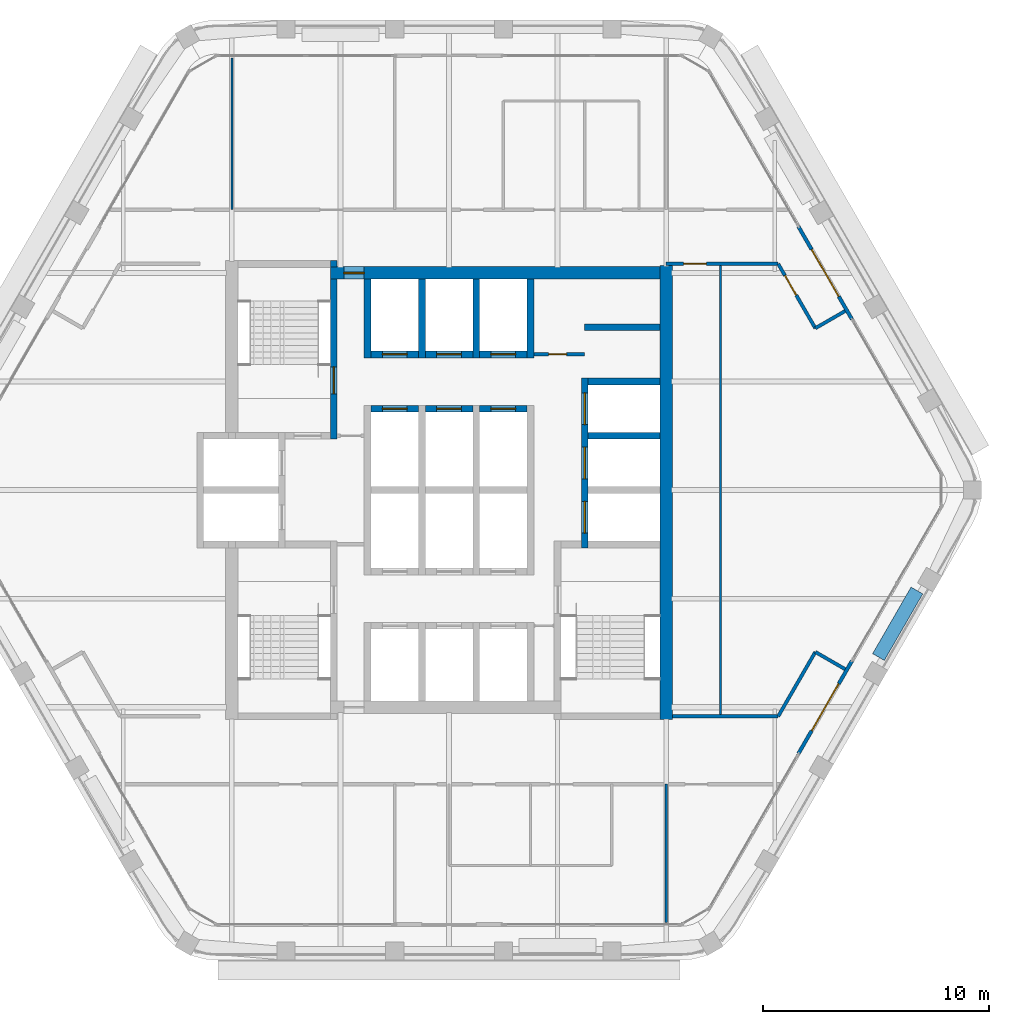
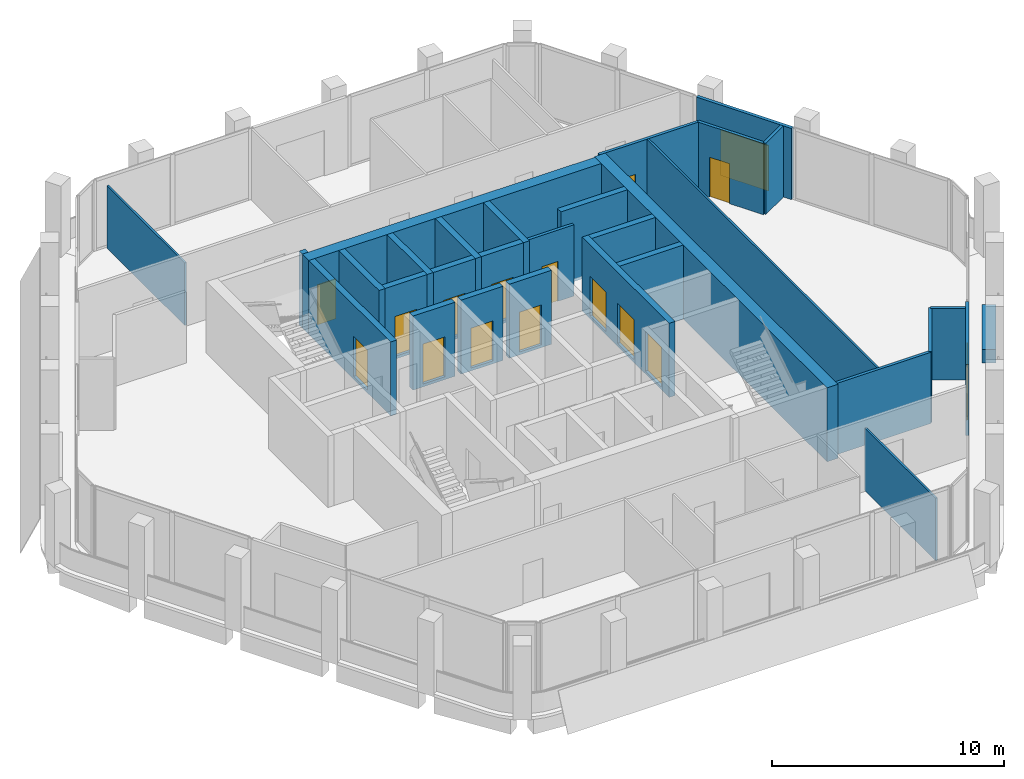
# One storey, part 9 of 13: 31 walls, 16 doors, 16 openings.
"""IFC4 building model written with IfcOpenShell, lengths in metres."""

import ifcopenshell
import ifcopenshell.guid

model = None  # the IFC model being written
_history = None  # IfcOwnerHistory: only IFC2X3 demands one
_inside = {}  # id of a spatial element -> (the spatial element, [elements in it])
_under = {}  # id of a project, library or spatial element -> (it, [spatial elements below it])
_declared = {}  # id of a project -> (the project, [libraries it declares])
_typed = {}  # id of a type object -> (the type object, [elements of that type])
_made_of = {}  # id of a material, layer set ... -> (it, [elements and type objects made of it])


def new_model(schema):
    """Start an empty IFC model of exactly this schema.

    Asked for "IFC4X3", IfcOpenShell would pick the latest addendum, in which some entities
    have other attributes; the version numbers below select the first issue.
    IFC2X3 requires an IfcOwnerHistory on every rooted entity: one is made here for all.
    """
    global model, _history
    if schema == "IFC4X3":
        model = ifcopenshell.file(schema_version=(4, 3, 0, 0))
    else:
        model = ifcopenshell.file(schema=schema)
    _inside.clear()
    _under.clear()
    _declared.clear()
    _typed.clear()
    _made_of.clear()
    _history = None
    if model.schema == "IFC2X3":
        org = make("IfcOrganization", Name="unknown")
        user = make(
            "IfcPersonAndOrganization",
            ThePerson=make("IfcPerson", FamilyName="unknown"),
            TheOrganization=org,
        )
        app = make(
            "IfcApplication",
            ApplicationDeveloper=org,
            Version="unknown",
            ApplicationFullName="unknown",
            ApplicationIdentifier="unknown",
        )
        _history = make(
            "IfcOwnerHistory",
            OwningUser=user,
            OwningApplication=app,
            ChangeAction="ADDED",
            CreationDate=0,
        )
    return model


def make(cls, **values):
    """One entity of the class cls with the attributes given. An attribute that is None is left unset."""
    return model.create_entity(
        cls, **{name: value for name, value in values.items() if value is not None}
    )


def rooted(cls, **values):
    """An entity with a GlobalId (a new one), such as an element, a storey or a relation."""
    return make(cls, GlobalId=ifcopenshell.guid.new(), OwnerHistory=_history, **values)


def si_unit(unit_type, name, prefix=None):
    """IfcSIUnit, for example si_unit("LENGTHUNIT", "METRE", prefix="MILLI")."""
    return make("IfcSIUnit", UnitType=unit_type, Prefix=prefix, Name=name)


def assignment(units):
    """IfcUnitAssignment: the units of a project."""
    return None if units is None else make("IfcUnitAssignment", Units=units)


def point(xyz):
    """IfcCartesianPoint."""
    return None if xyz is None else make("IfcCartesianPoint", Coordinates=xyz)


def direction(xyz):
    """IfcDirection."""
    return None if xyz is None else make("IfcDirection", DirectionRatios=xyz)


def frame(location, z_axis=None, x_axis=None):
    """IfcAxis2Placement3D, a coordinate frame: its origin and axes. An axis left out is left unset."""
    return make(
        "IfcAxis2Placement3D",
        Location=point(location),
        Axis=direction(z_axis),
        RefDirection=direction(x_axis),
    )


def frame_2d(location, x_axis=None):
    """IfcAxis2Placement2D, a coordinate frame in the plane: its origin and x axis."""
    return make(
        "IfcAxis2Placement2D", Location=point(location), RefDirection=direction(x_axis)
    )


def origin():
    """The frame at (0, 0, 0) with its axes left unset."""
    return frame((0.0, 0.0, 0.0))


def place(relative_to, where):
    """IfcLocalPlacement: puts the frame where relative to a parent placement (None: the world)."""
    return make(
        "IfcLocalPlacement", PlacementRelTo=relative_to, RelativePlacement=where
    )


def context(
    kind, dimensions, precision=None, world=None, true_north=None, identifier=None
):
    """IfcGeometricRepresentationContext, for example the 3D "Model" context."""
    return make(
        "IfcGeometricRepresentationContext",
        ContextIdentifier=identifier,
        ContextType=kind,
        CoordinateSpaceDimension=dimensions,
        Precision=precision,
        WorldCoordinateSystem=world,
        TrueNorth=true_north,
    )


def subcontext(parent, identifier, kind, view, scale=None):
    """IfcGeometricRepresentationSubContext, for example "Body" below "Model"."""
    return make(
        "IfcGeometricRepresentationSubContext",
        ContextIdentifier=identifier,
        ContextType=kind,
        ParentContext=parent,
        TargetScale=scale,
        TargetView=view,
    )


def project(units=None, contexts=None):
    """IfcProject with its units and contexts."""
    return rooted(
        "IfcProject",
        Name="project",
        RepresentationContexts=contexts,
        UnitsInContext=assignment(units),
    )


def spatial(cls, under=None, at=None, **own):
    """A site, building, storey or space (cls), placed at a placement, below another one or the project."""
    s = rooted(cls, ObjectPlacement=at, **own)
    if under is not None:
        _under.setdefault(under.id(), (under, []))[1].append(s)
    return s


def profile(cls, at=None, kind="AREA", **sizes):
    """A parametric profile (cls). Its sizes go by their IFC names, for example OverallWidth=200.0."""
    return make(cls, ProfileType=kind, Position=at, **sizes)


def rectangle(**sizes):
    """IfcRectangleProfileDef."""
    return profile("IfcRectangleProfileDef", **sizes)


def extrude(swept, where, along, depth):
    """IfcExtrudedAreaSolid: the profile swept, set in the frame where, extruded along a direction by depth."""
    return make(
        "IfcExtrudedAreaSolid",
        SweptArea=swept,
        Position=where,
        ExtrudedDirection=direction(along),
        Depth=depth,
    )


def shape(context_of_items, identifier, shape_type, items):
    """IfcShapeRepresentation: the items that make up one representation, for example the "Body"."""
    return make(
        "IfcShapeRepresentation",
        ContextOfItems=context_of_items,
        RepresentationIdentifier=identifier,
        RepresentationType=shape_type,
        Items=items,
    )


def material(Name=None, Category=None):
    """IfcMaterial."""
    return make("IfcMaterial", Name=Name, Category=Category)


def layer(
    of_material, thickness, ventilated=None, Name=None, Category=None, Priority=None
):
    """IfcMaterialLayer: one layer of a wall or slab, of a material (None: an air gap)."""
    return make(
        "IfcMaterialLayer",
        Material=of_material,
        LayerThickness=thickness,
        IsVentilated=ventilated,
        Name=Name,
        Category=Category,
        Priority=Priority,
    )


def layer_set(layers, Name=None):
    """IfcMaterialLayerSet."""
    return make("IfcMaterialLayerSet", MaterialLayers=layers, LayerSetName=Name)


def made_of(thing, what):
    """Note that an element or type object is made of a material, layer set ...; save() writes the relation."""
    if what is not None:
        _made_of.setdefault(what.id(), (what, []))[1].append(thing)
    return thing


def type_object(cls, material=None, **own):
    """A type object (cls), such as IfcWallType, which elements share."""
    return made_of(rooted(cls, **own), material)


def element(
    cls,
    number,
    at=None,
    inside=None,
    cuts=None,
    type_object=None,
    material=None,
    context=None,
    identifier="Body",
    shape_type=None,
    held_by="IfcProductDefinitionShape",
    body=None,
    shapes=None,
    **own,
):
    """One element of the class cls, such as IfcWall. Its Tag is "e" and its number.

    at: its placement. inside: the storey or other place that contains it. cuts: it is an
    opening in that element (IfcRelVoidsElement). A single representation is given by context,
    identifier, shape_type and body (its items); several are given by shapes. held_by: the class
    of the entity that holds the representations. save() writes the other relations.
    """
    e = rooted(cls, Tag="e%d" % number, ObjectPlacement=at, **own)
    if body is not None:
        shapes = [shape(context, identifier, shape_type, body)]
    if shapes is not None:
        e.Representation = make(held_by, Representations=shapes)
    if inside is not None:
        _inside.setdefault(inside.id(), (inside, []))[1].append(e)
    if cuts is not None:
        rooted(
            "IfcRelVoidsElement", RelatingBuildingElement=cuts, RelatedOpeningElement=e
        )
    if type_object is not None:
        _typed.setdefault(type_object.id(), (type_object, []))[1].append(e)
    return made_of(e, material)


def fill(opening, filler):
    """IfcRelFillsElement: the door or window that sits in an opening."""
    return rooted(
        "IfcRelFillsElement",
        RelatingOpeningElement=opening,
        RelatedBuildingElement=filler,
    )


def aggregate(whole, parts):
    """IfcRelAggregates: a whole, such as a stair, and the parts it consists of."""
    return rooted("IfcRelAggregates", RelatingObject=whole, RelatedObjects=parts)


def save(model, path):
    """Write the relations noted so far, then the file.

    IfcRelAggregates (storeys below a building ...), IfcRelContainedInSpatialStructure (elements
    in a storey), IfcRelDefinesByType, IfcRelAssociatesMaterial and IfcRelDeclares: one each for
    every whole, place, type object, material and project.
    """
    for whole, parts in _under.values():
        aggregate(whole, parts)
    for where, things in _inside.values():
        rooted(
            "IfcRelContainedInSpatialStructure",
            RelatedElements=things,
            RelatingStructure=where,
        )
    for kind, things in _typed.values():
        rooted("IfcRelDefinesByType", RelatedObjects=things, RelatingType=kind)
    for what, things in _made_of.values():
        rooted("IfcRelAssociatesMaterial", RelatedObjects=things, RelatingMaterial=what)
    for by, libraries in _declared.values():
        rooted("IfcRelDeclares", RelatingContext=by, RelatedDefinitions=libraries)
    model.write(path)


model = new_model("IFC4")

# Units and contexts
model_context = context("Model", 3, precision=1e-05, world=origin(), true_north=direction((0.0, 1.0)))
body_context = subcontext(model_context, "Body", "Model", "MODEL_VIEW")
ifc_project = project(units=[si_unit("LENGTHUNIT", "METRE"), si_unit("AREAUNIT", "SQUARE_METRE"), si_unit("VOLUMEUNIT", "CUBIC_METRE"), si_unit("PLANEANGLEUNIT", "RADIAN"), si_unit("MASSUNIT", "GRAM", prefix="KILO")], contexts=[model_context])

# Site, building, storey
site_placement = place(None, origin())
site = spatial("IfcSite", under=ifc_project, at=site_placement, CompositionType="ELEMENT")
building_placement = place(site_placement, origin())
building = spatial("IfcBuilding", under=site, at=building_placement, Name="Kolab Exchange Tower", CompositionType="ELEMENT")
storey_placement = place(building_placement, frame((0.0, 0.0, 257.89990234375)))
storey = spatial("IfcBuildingStorey", under=building, at=storey_placement, Name="L57", CompositionType="ELEMENT", Elevation=257.89990234375)

# Wall, opening, door
ifc_material_1 = material(Name="Concrete C50/60", Category="concrete")
ifc_layer_1 = layer(ifc_material_1, 0.550048828125)
ifc_layer_set_1 = layer_set([ifc_layer_1], Name="Concrete C50/60")
wall_type_1 = type_object("IfcWallType", Name="CORE WALL 550 C50/60", PredefinedType="SHEAR", material=ifc_layer_set_1)
wall_1_placement = place(storey_placement, frame((-5.25, 9.60009765625, -0.14990234375), z_axis=(0.0, 0.0, 1.0), x_axis=(1.0, 0.0, 0.0)))
wall_1 = element("IfcWall", 1, at=wall_1_placement, inside=storey, type_object=wall_type_1, Name="wall/L57/core/031", PredefinedType="SHEAR", context=body_context, shape_type="SweptSolid", body=[
    extrude(rectangle(XDim=14.574951171875, YDim=0.550048828125, at=frame_2d((7.28759765625, 0.0))), origin(), (0.0, 0.0, 1.0), 3.89990234375),
])
opening_1_placement = place(wall_1_placement, frame((0.60009765625, 0.0, 0.14990234375)))
opening_1 = element("IfcOpeningElement", 2, at=opening_1_placement, cuts=wall_1, Name="Opening D6-295", PredefinedType="OPENING", context=body_context, shape_type="SweptSolid", body=[
    extrude(rectangle(XDim=0.89990234375, YDim=2.10009765625, at=frame_2d((0.449951171875, 1.050048828125))), frame((0.0, 0.28515625, 0.0), z_axis=(0.0, -1.0, 0.0), x_axis=(1.0, 0.0, 0.0)), (0.0, 0.0, 1.0), 0.570068359375),
])
ifc_material_2 = material(Name="Steel S235", Category="steel")
door_type_1 = type_object("IfcDoorType", Name="CORE DOOR 900 EI 120", OperationType="SINGLE_SWING_LEFT", PredefinedType="DOOR", material=ifc_material_2)
door_1_placement = place(opening_1_placement, frame((0.89990234375, 0.0, 0.0), z_axis=(0.0, 0.0, 1.0), x_axis=(-1.0, 0.0, 0.0)))
door_1 = element("IfcDoor", 3, at=door_1_placement, inside=storey, type_object=door_type_1, Name="Core lobby door", OperationType="SINGLE_SWING_RIGHT", OverallHeight=2.10009765625, OverallWidth=0.89990234375, PredefinedType="DOOR", context=body_context, shape_type="SweptSolid", body=[
    extrude(rectangle(XDim=0.89990234375, YDim=2.10009765625, at=frame_2d((0.449951171875, 1.050048828125))), frame((0.0, 0.02490234375, 0.0), z_axis=(0.0, -1.0, 0.0), x_axis=(1.0, 0.0, 0.0)), (0.0, 0.0, 1.0), 0.050048828125),
])
fill(opening_1, door_1)

# Wall
wall_2_placement = place(storey_placement, frame((9.60009765625, -10.14990234375, -0.14990234375), z_axis=(0.0, 0.0, 1.0), x_axis=(0.0, 1.0, 0.0)))
element("IfcWall", 4, at=wall_2_placement, inside=storey, type_object=wall_type_1, Name="wall/L57/core/058", PredefinedType="SHEAR", context=body_context, shape_type="SweptSolid", body=[
    extrude(rectangle(XDim=20.074951171875, YDim=0.550048828125, at=frame_2d((10.03759765625, 0.0))), origin(), (0.0, 0.0, 1.0), 3.89990234375),
])

# Wall, opening, door
ifc_material_3 = material(Name="Aluminium EN AW-6063 T6", Category="aluminium")
ifc_layer_2 = layer(ifc_material_3, 0.159912109375)
ifc_layer_set_2 = layer_set([ifc_layer_2], Name="Aluminium EN AW-6063 T6")
wall_type_2 = type_object("IfcWallType", Name="DOOR SURROUND WALL 160 ALUMINIUM FRAMED", PredefinedType="PARTITIONING", material=ifc_layer_set_2)
wall_3_placement = place(storey_placement, frame((15.44677734375, 11.65478515625, 0.0), z_axis=(0.0, 0.0, 1.0), x_axis=(0.499978080042, -0.866038058908, 0.0)))
wall_3 = element("IfcWall", 5, at=wall_3_placement, inside=storey, type_object=wall_type_2, Name="Door surround wall", PredefinedType="PARTITIONING", context=body_context, shape_type="SweptSolid", body=[
    extrude(rectangle(XDim=4.739990234375, YDim=0.159912109375, at=frame_2d((2.3701171875, 0.0))), origin(), (0.0, 0.0, 1.0), 3.75),
])
opening_2_placement = place(wall_3_placement, frame((1.169921875, 0.0, 0.0)))
opening_2 = element("IfcOpeningElement", 6, at=opening_2_placement, cuts=wall_3, Name="Opening GD1-090", PredefinedType="OPENING", context=body_context, shape_type="SweptSolid", body=[
    extrude(rectangle(XDim=2.39990234375, YDim=2.39990234375, at=frame_2d((1.199951171875, 1.199951171875))), frame((0.0, 0.08984375, 0.0), z_axis=(0.0, -1.0, 0.0), x_axis=(1.0, 0.0, 0.0)), (0.0, 0.0, 1.0), 0.179931640625),
])
door_type_2 = type_object("IfcDoorType", Name="LOGGIA SLIDING GLASS DOOR 2400 X 2400", OperationType="DOUBLE_DOOR_SINGLE_SWING", PredefinedType="DOOR", material=ifc_material_3)
door_2_placement = place(opening_2_placement, origin())
door_2 = element("IfcDoor", 7, at=door_2_placement, inside=storey, type_object=door_type_2, Name="Loggia door", OperationType="DOUBLE_DOOR_SLIDING", OverallHeight=2.39990234375, OverallWidth=2.39990234375, PredefinedType="DOOR", context=body_context, shape_type="SweptSolid", body=[
    extrude(rectangle(XDim=2.39990234375, YDim=2.39990234375, at=frame_2d((1.199951171875, 1.199951171875))), frame((0.0, 0.02490234375, 0.0), z_axis=(0.0, -1.0, 0.0), x_axis=(1.0, 0.0, 0.0)), (0.0, 0.0, 1.0), 0.050048828125),
])
fill(opening_2, door_2)

wall_4_placement = place(storey_placement, frame((17.816650390625, -7.5498046875, 0.0), z_axis=(0.0, 0.0, 1.0), x_axis=(-0.499978080042, -0.866038058908, 0.0)))
wall_4 = element("IfcWall", 8, at=wall_4_placement, inside=storey, type_object=wall_type_2, Name="Door surround wall", PredefinedType="PARTITIONING", context=body_context, shape_type="SweptSolid", body=[
    extrude(rectangle(XDim=4.739990234375, YDim=0.159912109375, at=frame_2d((2.3701171875, 0.0))), origin(), (0.0, 0.0, 1.0), 3.75),
])
opening_3_placement = place(wall_4_placement, frame((1.169921875, 0.0, 0.0)))
opening_3 = element("IfcOpeningElement", 9, at=opening_3_placement, cuts=wall_4, Name="Opening GD1-091", PredefinedType="OPENING", context=body_context, shape_type="SweptSolid", body=[
    extrude(rectangle(XDim=2.39990234375, YDim=2.39990234375, at=frame_2d((1.199951171875, 1.199951171875))), frame((0.0, 0.08984375, 0.0), z_axis=(0.0, -1.0, 0.0), x_axis=(1.0, 0.0, 0.0)), (0.0, 0.0, 1.0), 0.179931640625),
])
door_3_placement = place(opening_3_placement, origin())
door_3 = element("IfcDoor", 10, at=door_3_placement, inside=storey, type_object=door_type_2, Name="Loggia door", OperationType="DOUBLE_DOOR_SLIDING", OverallHeight=2.39990234375, OverallWidth=2.39990234375, PredefinedType="DOOR", context=body_context, shape_type="SweptSolid", body=[
    extrude(rectangle(XDim=2.39990234375, YDim=2.39990234375, at=frame_2d((1.199951171875, 1.199951171875))), frame((0.0, 0.02490234375, 0.0), z_axis=(0.0, -1.0, 0.0), x_axis=(1.0, 0.0, 0.0)), (0.0, 0.0, 1.0), 0.050048828125),
])
fill(opening_3, door_3)

# Wall
ifc_layer_3 = layer(ifc_material_1, 0.300048828125)
ifc_layer_set_3 = layer_set([ifc_layer_3], Name="Concrete C50/60")
wall_type_3 = type_object("IfcWallType", Name="LIFT SHAFT WALL 300 C50/60", PredefinedType="STANDARD", material=ifc_layer_set_3)
wall_5_placement = place(storey_placement, frame((6.14990234375, 2.39990234375, -0.14990234375), z_axis=(0.0, 0.0, 1.0), x_axis=(1.0, 0.0, 0.0)))
element("IfcWall", 11, at=wall_5_placement, inside=storey, type_object=wall_type_3, Name="wall/L57/core/022", PredefinedType="STANDARD", context=body_context, shape_type="SweptSolid", body=[
    extrude(rectangle(XDim=3.175048828125, YDim=0.300048828125, at=frame_2d((1.58740234375, 0.0))), origin(), (0.0, 0.0, 1.0), 3.89990234375),
])

# Wall, opening, door
wall_6_placement = place(storey_placement, frame((-3.449951171875, 3.60009765625, -0.14990234375), z_axis=(0.0, 0.0, 1.0), x_axis=(1.0, 0.0, 0.0)))
wall_6 = element("IfcWall", 12, at=wall_6_placement, inside=storey, type_object=wall_type_3, Name="wall/L57/core/023", PredefinedType="STANDARD", context=body_context, shape_type="SweptSolid", body=[
    extrude(rectangle(XDim=2.099853515625, YDim=0.300048828125, at=frame_2d((1.0498046875, 0.0))), origin(), (0.0, 0.0, 1.0), 3.89990234375),
])
opening_4_placement = place(wall_6_placement, frame((0.5, 0.0, 0.14990234375)))
opening_4 = element("IfcOpeningElement", 13, at=opening_4_placement, cuts=wall_6, Name="Opening LD1-115", PredefinedType="OPENING", context=body_context, shape_type="SweptSolid", body=[
    extrude(rectangle(XDim=1.10009765625, YDim=2.10009765625, at=frame_2d((0.550048828125, 1.050048828125))), frame((0.0, 0.16015625, 0.0), z_axis=(0.0, -1.0, 0.0), x_axis=(1.0, 0.0, 0.0)), (0.0, 0.0, 1.0), 0.320068359375),
])
ifc_material_4 = material(Name="Stainless steel 316", Category="steel")
door_type_3 = type_object("IfcDoorType", Name="LANDING DOOR 1100 PASSENGER", OperationType="DOUBLE_DOOR_SLIDING", PredefinedType="DOOR", material=ifc_material_4)
door_4_placement = place(opening_4_placement, origin())
door_4 = element("IfcDoor", 14, at=door_4_placement, inside=storey, type_object=door_type_3, Name="Landing door HR4", OperationType="DOUBLE_DOOR_SLIDING", OverallHeight=2.10009765625, OverallWidth=1.10009765625, PredefinedType="DOOR", context=body_context, shape_type="SweptSolid", body=[
    extrude(rectangle(XDim=1.10009765625, YDim=2.10009765625, at=frame_2d((0.550048828125, 1.050048828125))), frame((0.0, 0.02490234375, 0.0), z_axis=(0.0, -1.0, 0.0), x_axis=(1.0, 0.0, 0.0)), (0.0, 0.0, 1.0), 0.050048828125),
])
fill(opening_4, door_4)

wall_7_placement = place(storey_placement, frame((-1.050048828125, 3.60009765625, -0.14990234375), z_axis=(0.0, 0.0, 1.0), x_axis=(1.0, 0.0, 0.0)))
wall_7 = element("IfcWall", 15, at=wall_7_placement, inside=storey, type_object=wall_type_3, Name="wall/L57/core/024", PredefinedType="STANDARD", context=body_context, shape_type="SweptSolid", body=[
    extrude(rectangle(XDim=2.10009765625, YDim=0.300048828125, at=frame_2d((1.050048828125, 0.0))), origin(), (0.0, 0.0, 1.0), 3.89990234375),
])
opening_5_placement = place(wall_7_placement, frame((0.5, 0.0, 0.14990234375)))
opening_5 = element("IfcOpeningElement", 16, at=opening_5_placement, cuts=wall_7, Name="Opening LD1-116", PredefinedType="OPENING", context=body_context, shape_type="SweptSolid", body=[
    extrude(rectangle(XDim=1.10009765625, YDim=2.10009765625, at=frame_2d((0.550048828125, 1.050048828125))), frame((0.0, 0.16015625, 0.0), z_axis=(0.0, -1.0, 0.0), x_axis=(1.0, 0.0, 0.0)), (0.0, 0.0, 1.0), 0.320068359375),
])
door_5_placement = place(opening_5_placement, origin())
door_5 = element("IfcDoor", 17, at=door_5_placement, inside=storey, type_object=door_type_3, Name="Landing door HR5", OperationType="DOUBLE_DOOR_SLIDING", OverallHeight=2.10009765625, OverallWidth=1.10009765625, PredefinedType="DOOR", context=body_context, shape_type="SweptSolid", body=[
    extrude(rectangle(XDim=1.10009765625, YDim=2.10009765625, at=frame_2d((0.550048828125, 1.050048828125))), frame((0.0, 0.02490234375, 0.0), z_axis=(0.0, -1.0, 0.0), x_axis=(1.0, 0.0, 0.0)), (0.0, 0.0, 1.0), 0.050048828125),
])
fill(opening_5, door_5)

wall_8_placement = place(storey_placement, frame((1.35009765625, 3.60009765625, -0.14990234375), z_axis=(0.0, 0.0, 1.0), x_axis=(1.0, 0.0, 0.0)))
wall_8 = element("IfcWall", 18, at=wall_8_placement, inside=storey, type_object=wall_type_3, Name="wall/L57/core/025", PredefinedType="STANDARD", context=body_context, shape_type="SweptSolid", body=[
    extrude(rectangle(XDim=2.099853515625, YDim=0.300048828125, at=frame_2d((1.0498046875, 0.0))), origin(), (0.0, 0.0, 1.0), 3.89990234375),
])
opening_6_placement = place(wall_8_placement, frame((0.5, 0.0, 0.14990234375)))
opening_6 = element("IfcOpeningElement", 19, at=opening_6_placement, cuts=wall_8, Name="Opening LD1-117", PredefinedType="OPENING", context=body_context, shape_type="SweptSolid", body=[
    extrude(rectangle(XDim=1.10009765625, YDim=2.10009765625, at=frame_2d((0.550048828125, 1.050048828125))), frame((0.0, 0.16015625, 0.0), z_axis=(0.0, -1.0, 0.0), x_axis=(1.0, 0.0, 0.0)), (0.0, 0.0, 1.0), 0.320068359375),
])
door_6_placement = place(opening_6_placement, origin())
door_6 = element("IfcDoor", 20, at=door_6_placement, inside=storey, type_object=door_type_3, Name="Landing door HR6", OperationType="DOUBLE_DOOR_SLIDING", OverallHeight=2.10009765625, OverallWidth=1.10009765625, PredefinedType="DOOR", context=body_context, shape_type="SweptSolid", body=[
    extrude(rectangle(XDim=1.10009765625, YDim=2.10009765625, at=frame_2d((0.550048828125, 1.050048828125))), frame((0.0, 0.02490234375, 0.0), z_axis=(0.0, -1.0, 0.0), x_axis=(1.0, 0.0, 0.0)), (0.0, 0.0, 1.0), 0.050048828125),
])
fill(opening_6, door_6)

# Wall
wall_9_placement = place(storey_placement, frame((6.14990234375, 4.800048828125, -0.14990234375), z_axis=(0.0, 0.0, 1.0), x_axis=(1.0, 0.0, 0.0)))
element("IfcWall", 21, at=wall_9_placement, inside=storey, type_object=wall_type_3, Name="wall/L57/core/026", PredefinedType="STANDARD", context=body_context, shape_type="SweptSolid", body=[
    extrude(rectangle(XDim=3.175048828125, YDim=0.300048828125, at=frame_2d((1.58740234375, 0.0))), origin(), (0.0, 0.0, 1.0), 3.89990234375),
])

# Wall, opening, door
wall_10_placement = place(storey_placement, frame((-3.449951171875, 6.0, -0.14990234375), z_axis=(0.0, 0.0, 1.0), x_axis=(1.0, 0.0, 0.0)))
wall_10 = element("IfcWall", 22, at=wall_10_placement, inside=storey, type_object=wall_type_3, Name="wall/L57/core/027", PredefinedType="STANDARD", context=body_context, shape_type="SweptSolid", body=[
    extrude(rectangle(XDim=2.099853515625, YDim=0.300048828125, at=frame_2d((1.0498046875, 0.0))), origin(), (0.0, 0.0, 1.0), 3.89990234375),
])
opening_7_placement = place(wall_10_placement, frame((0.5, 0.0, 0.14990234375)))
opening_7 = element("IfcOpeningElement", 23, at=opening_7_placement, cuts=wall_10, Name="Opening LD1-109", PredefinedType="OPENING", context=body_context, shape_type="SweptSolid", body=[
    extrude(rectangle(XDim=1.10009765625, YDim=2.10009765625, at=frame_2d((0.550048828125, 1.050048828125))), frame((0.0, 0.16015625, 0.0), z_axis=(0.0, -1.0, 0.0), x_axis=(1.0, 0.0, 0.0)), (0.0, 0.0, 1.0), 0.320068359375),
])
door_7_placement = place(opening_7_placement, origin())
door_7 = element("IfcDoor", 24, at=door_7_placement, inside=storey, type_object=door_type_3, Name="Landing door HR1", OperationType="DOUBLE_DOOR_SLIDING", OverallHeight=2.10009765625, OverallWidth=1.10009765625, PredefinedType="DOOR", context=body_context, shape_type="SweptSolid", body=[
    extrude(rectangle(XDim=1.10009765625, YDim=2.10009765625, at=frame_2d((0.550048828125, 1.050048828125))), frame((0.0, 0.02490234375, 0.0), z_axis=(0.0, -1.0, 0.0), x_axis=(1.0, 0.0, 0.0)), (0.0, 0.0, 1.0), 0.050048828125),
])
fill(opening_7, door_7)

wall_11_placement = place(storey_placement, frame((-1.050048828125, 6.0, -0.14990234375), z_axis=(0.0, 0.0, 1.0), x_axis=(1.0, 0.0, 0.0)))
wall_11 = element("IfcWall", 25, at=wall_11_placement, inside=storey, type_object=wall_type_3, Name="wall/L57/core/028", PredefinedType="STANDARD", context=body_context, shape_type="SweptSolid", body=[
    extrude(rectangle(XDim=2.10009765625, YDim=0.300048828125, at=frame_2d((1.050048828125, 0.0))), origin(), (0.0, 0.0, 1.0), 3.89990234375),
])
opening_8_placement = place(wall_11_placement, frame((0.5, 0.0, 0.14990234375)))
opening_8 = element("IfcOpeningElement", 26, at=opening_8_placement, cuts=wall_11, Name="Opening LD1-113", PredefinedType="OPENING", context=body_context, shape_type="SweptSolid", body=[
    extrude(rectangle(XDim=1.10009765625, YDim=2.10009765625, at=frame_2d((0.550048828125, 1.050048828125))), frame((0.0, 0.16015625, 0.0), z_axis=(0.0, -1.0, 0.0), x_axis=(1.0, 0.0, 0.0)), (0.0, 0.0, 1.0), 0.320068359375),
])
door_8_placement = place(opening_8_placement, origin())
door_8 = element("IfcDoor", 27, at=door_8_placement, inside=storey, type_object=door_type_3, Name="Landing door HR2", OperationType="DOUBLE_DOOR_SLIDING", OverallHeight=2.10009765625, OverallWidth=1.10009765625, PredefinedType="DOOR", context=body_context, shape_type="SweptSolid", body=[
    extrude(rectangle(XDim=1.10009765625, YDim=2.10009765625, at=frame_2d((0.550048828125, 1.050048828125))), frame((0.0, 0.02490234375, 0.0), z_axis=(0.0, -1.0, 0.0), x_axis=(1.0, 0.0, 0.0)), (0.0, 0.0, 1.0), 0.050048828125),
])
fill(opening_8, door_8)

wall_12_placement = place(storey_placement, frame((1.35009765625, 6.0, -0.14990234375), z_axis=(0.0, 0.0, 1.0), x_axis=(1.0, 0.0, 0.0)))
wall_12 = element("IfcWall", 28, at=wall_12_placement, inside=storey, type_object=wall_type_3, Name="wall/L57/core/029", PredefinedType="STANDARD", context=body_context, shape_type="SweptSolid", body=[
    extrude(rectangle(XDim=2.099853515625, YDim=0.300048828125, at=frame_2d((1.0498046875, 0.0))), origin(), (0.0, 0.0, 1.0), 3.89990234375),
])
opening_9_placement = place(wall_12_placement, frame((0.5, 0.0, 0.14990234375)))
opening_9 = element("IfcOpeningElement", 29, at=opening_9_placement, cuts=wall_12, Name="Opening LD1-114", PredefinedType="OPENING", context=body_context, shape_type="SweptSolid", body=[
    extrude(rectangle(XDim=1.10009765625, YDim=2.10009765625, at=frame_2d((0.550048828125, 1.050048828125))), frame((0.0, 0.16015625, 0.0), z_axis=(0.0, -1.0, 0.0), x_axis=(1.0, 0.0, 0.0)), (0.0, 0.0, 1.0), 0.320068359375),
])
door_9_placement = place(opening_9_placement, origin())
door_9 = element("IfcDoor", 30, at=door_9_placement, inside=storey, type_object=door_type_3, Name="Landing door HR3", OperationType="DOUBLE_DOOR_SLIDING", OverallHeight=2.10009765625, OverallWidth=1.10009765625, PredefinedType="DOOR", context=body_context, shape_type="SweptSolid", body=[
    extrude(rectangle(XDim=1.10009765625, YDim=2.10009765625, at=frame_2d((0.550048828125, 1.050048828125))), frame((0.0, 0.02490234375, 0.0), z_axis=(0.0, -1.0, 0.0), x_axis=(1.0, 0.0, 0.0)), (0.0, 0.0, 1.0), 0.050048828125),
])
fill(opening_9, door_9)

# Walls
wall_13_placement = place(storey_placement, frame((6.0, 7.199951171875, -0.14990234375), z_axis=(0.0, 0.0, 1.0), x_axis=(1.0, 0.0, 0.0)))
element("IfcWall", 31, at=wall_13_placement, inside=storey, type_object=wall_type_3, Name="wall/L57/core/030", PredefinedType="STANDARD", context=body_context, shape_type="SweptSolid", body=[
    extrude(rectangle(XDim=3.324951171875, YDim=0.300048828125, at=frame_2d((1.66259765625, 0.0))), origin(), (0.0, 0.0, 1.0), 3.89990234375),
])
for number, where, z_axis, x_axis, name in (
    (32, (-3.60009765625, 5.85009765625, -0.14990234375), (0.0, 0.0, 1.0), (0.0, 1.0, 0.0), "wall/L57/core/045"),
    (33, (-1.199951171875, 5.85009765625, -0.14990234375), (0.0, 0.0, 1.0), (0.0, 1.0, 0.0), "wall/L57/core/048"),
    (34, (1.199951171875, 5.85009765625, -0.14990234375), (0.0, 0.0, 1.0), (0.0, 1.0, 0.0), "wall/L57/core/051"),
    (35, (3.60009765625, 5.85009765625, -0.14990234375), (0.0, 0.0, 1.0), (0.0, 1.0, 0.0), "wall/L57/core/054"),
):
    element("IfcWall", number, at=place(storey_placement, frame(where, z_axis=z_axis, x_axis=x_axis)), inside=storey, type_object=wall_type_3, Name=name, PredefinedType="STANDARD", context=body_context, shape_type="SweptSolid", body=[
        extrude(rectangle(XDim=3.474853515625, YDim=0.300048828125, at=frame_2d((1.7373046875, 0.0))), origin(), (0.0, 0.0, 1.0), 3.89990234375),
    ])

# Wall, openings, doors
wall_14_placement = place(storey_placement, frame((6.0, -2.550048828125, -0.14990234375), z_axis=(0.0, 0.0, 1.0), x_axis=(0.0, 1.0, 0.0)))
wall_14 = element("IfcWall", 36, at=wall_14_placement, inside=storey, type_object=wall_type_3, Name="wall/L57/core/057", PredefinedType="STANDARD", context=body_context, shape_type="SweptSolid", body=[
    extrude(rectangle(XDim=7.5, YDim=0.300048828125, at=frame_2d((3.75, 0.0))), origin(), (0.0, 0.0, 1.0), 3.89990234375),
])
opening_10_placement = place(wall_14_placement, frame((0.64990234375, 0.0, 0.14990234375)))
opening_10 = element("IfcOpeningElement", 37, at=opening_10_placement, cuts=wall_14, Name="Opening LD3-037", PredefinedType="OPENING", context=body_context, shape_type="SweptSolid", body=[
    extrude(rectangle(XDim=1.39990234375, YDim=2.10009765625, at=frame_2d((0.699951171875, 1.050048828125))), frame((0.0, 0.16015625, 0.0), z_axis=(0.0, -1.0, 0.0), x_axis=(1.0, 0.0, 0.0)), (0.0, 0.0, 1.0), 0.320068359375),
])
opening_11_placement = place(wall_14_placement, frame((3.050048828125, 0.0, 0.14990234375)))
opening_11 = element("IfcOpeningElement", 38, at=opening_11_placement, cuts=wall_14, Name="Opening LD3-038", PredefinedType="OPENING", context=body_context, shape_type="SweptSolid", body=[
    extrude(rectangle(XDim=1.39990234375, YDim=2.10009765625, at=frame_2d((0.699951171875, 1.050048828125))), frame((0.0, 0.16015625, 0.0), z_axis=(0.0, -1.0, 0.0), x_axis=(1.0, 0.0, 0.0)), (0.0, 0.0, 1.0), 0.320068359375),
])
opening_12_placement = place(wall_14_placement, frame((5.449951171875, 0.0, 0.14990234375)))
opening_12 = element("IfcOpeningElement", 39, at=opening_12_placement, cuts=wall_14, Name="Opening LD3-039", PredefinedType="OPENING", context=body_context, shape_type="SweptSolid", body=[
    extrude(rectangle(XDim=1.39990234375, YDim=2.10009765625, at=frame_2d((0.699951171875, 1.050048828125))), frame((0.0, 0.16015625, 0.0), z_axis=(0.0, -1.0, 0.0), x_axis=(1.0, 0.0, 0.0)), (0.0, 0.0, 1.0), 0.320068359375),
])
door_type_4 = type_object("IfcDoorType", Name="LANDING DOOR 1400 SERVICE", OperationType="DOUBLE_DOOR_SLIDING", PredefinedType="DOOR", material=ifc_material_4)
door_10_placement = place(opening_10_placement, origin())
door_10 = element("IfcDoor", 40, at=door_10_placement, inside=storey, type_object=door_type_4, Name="Landing door SV1", OperationType="DOUBLE_DOOR_SLIDING", OverallHeight=2.10009765625, OverallWidth=1.39990234375, PredefinedType="DOOR", context=body_context, shape_type="SweptSolid", body=[
    extrude(rectangle(XDim=1.39990234375, YDim=2.10009765625, at=frame_2d((0.699951171875, 1.050048828125))), frame((0.0, 0.02490234375, 0.0), z_axis=(0.0, -1.0, 0.0), x_axis=(1.0, 0.0, 0.0)), (0.0, 0.0, 1.0), 0.050048828125),
])
fill(opening_10, door_10)
door_11_placement = place(opening_11_placement, origin())
door_11 = element("IfcDoor", 41, at=door_11_placement, inside=storey, type_object=door_type_4, Name="Landing door SV2", OperationType="DOUBLE_DOOR_SLIDING", OverallHeight=2.10009765625, OverallWidth=1.39990234375, PredefinedType="DOOR", context=body_context, shape_type="SweptSolid", body=[
    extrude(rectangle(XDim=1.39990234375, YDim=2.10009765625, at=frame_2d((0.699951171875, 1.050048828125))), frame((0.0, 0.02490234375, 0.0), z_axis=(0.0, -1.0, 0.0), x_axis=(1.0, 0.0, 0.0)), (0.0, 0.0, 1.0), 0.050048828125),
])
fill(opening_11, door_11)
door_12_placement = place(opening_12_placement, origin())
door_12 = element("IfcDoor", 42, at=door_12_placement, inside=storey, type_object=door_type_4, Name="Landing door SV3", OperationType="DOUBLE_DOOR_SLIDING", OverallHeight=2.10009765625, OverallWidth=1.39990234375, PredefinedType="DOOR", context=body_context, shape_type="SweptSolid", body=[
    extrude(rectangle(XDim=1.39990234375, YDim=2.10009765625, at=frame_2d((0.699951171875, 1.050048828125))), frame((0.0, 0.02490234375, 0.0), z_axis=(0.0, -1.0, 0.0), x_axis=(1.0, 0.0, 0.0)), (0.0, 0.0, 1.0), 0.050048828125),
])
fill(opening_12, door_12)

# Walls
ifc_material_5 = material(Name="Gypsum board", Category="gypsum")
ifc_layer_4 = layer(ifc_material_5, 0.10009765625)
ifc_layer_set_4 = layer_set([ifc_layer_4], Name="Gypsum board")
wall_type_4 = type_object("IfcWallType", Name="PARTITION 100", PredefinedType="PARTITIONING", material=ifc_layer_set_4)
wall_15_placement = place(storey_placement, frame((12.0, -10.0, 0.0), z_axis=(0.0, 0.0, 1.0), x_axis=(0.0, 1.0, 0.0)))
element("IfcWall", 43, at=wall_15_placement, inside=storey, type_object=wall_type_4, Name="Partition 000", PredefinedType="PARTITIONING", context=body_context, shape_type="SweptSolid", body=[
    extrude(rectangle(XDim=20.0, YDim=0.10009765625, at=frame_2d((10.0, 0.0))), origin(), (0.0, 0.0, 1.0), 3.75),
])
wall_16_placement = place(storey_placement, frame((9.60009765625, -19.114501953125, 0.0), z_axis=(0.0, 0.0, 1.0), x_axis=(0.0, 1.0, 0.0)))
element("IfcWall", 44, at=wall_16_placement, inside=storey, type_object=wall_type_4, Name="Partition 001", PredefinedType="PARTITIONING", context=body_context, shape_type="SweptSolid", body=[
    extrude(rectangle(XDim=6.114501953125, YDim=0.10009765625, at=frame_2d((3.05712890625, 0.0))), origin(), (0.0, 0.0, 1.0), 3.293212890625),
])
wall_17_placement = place(storey_placement, frame((-9.60009765625, 12.39990234375, 0.0), z_axis=(0.0, 0.0, 1.0), x_axis=(0.0, 1.0, 0.0)))
element("IfcWall", 45, at=wall_17_placement, inside=storey, type_object=wall_type_4, Name="Partition 011", PredefinedType="PARTITIONING", context=body_context, shape_type="SweptSolid", body=[
    extrude(rectangle(XDim=6.714599609375, YDim=0.10009765625, at=frame_2d((3.357421875, 0.0))), origin(), (0.0, 0.0, 1.0), 3.293212890625),
])

# Wall, opening, door
ifc_layer_5 = layer(ifc_material_5, 0.14990234375)
ifc_layer_set_5 = layer_set([ifc_layer_5], Name="Gypsum board")
wall_type_5 = type_object("IfcWallType", Name="PARTITION 150 FIRE-RATED", PredefinedType="PARTITIONING", material=ifc_layer_set_5)
wall_18_placement = place(storey_placement, frame((14.5546875, 10.0, 0.0), z_axis=(0.0, 0.0, 1.0), x_axis=(0.499954196102, -0.866051847062, 0.0)))
wall_18 = element("IfcWall", 46, at=wall_18_placement, inside=storey, type_object=wall_type_5, Name="Partition 013", PredefinedType="PARTITIONING", context=body_context, shape_type="SweptSolid", body=[
    extrude(rectangle(XDim=3.282958984375, YDim=0.14990234375, at=frame_2d((1.6416015625, 0.0))), origin(), (0.0, 0.0, 1.0), 3.75),
])
opening_13_placement = place(wall_18_placement, frame((0.597412109375, 0.0, 0.0)))
opening_13 = element("IfcOpeningElement", 47, at=opening_13_placement, cuts=wall_18, Name="Opening D1-713", PredefinedType="OPENING", context=body_context, shape_type="SweptSolid", body=[
    extrude(rectangle(XDim=1.0, YDim=2.10009765625, at=frame_2d((0.5, 1.050048828125))), frame((0.0, 0.0849609375, 0.0), z_axis=(0.0, -1.0, 0.0), x_axis=(1.0, 0.0, 0.0)), (0.0, 0.0, 1.0), 0.169921875),
])
door_type_5 = type_object("IfcDoorType", Name="FLUSH DOOR 1000 FD60", OperationType="SINGLE_SWING_LEFT", PredefinedType="DOOR", material=ifc_material_2)
door_13_placement = place(opening_13_placement, frame((1.0, 0.0, 0.0), z_axis=(0.0, 0.0, 1.0), x_axis=(-1.0, 0.0, 0.0)))
door_13 = element("IfcDoor", 48, at=door_13_placement, inside=storey, type_object=door_type_5, Name="Door L57-041", OperationType="SINGLE_SWING_LEFT", OverallHeight=2.10009765625, OverallWidth=1.0, PredefinedType="DOOR", context=body_context, shape_type="SweptSolid", body=[
    extrude(rectangle(XDim=1.0, YDim=2.10009765625, at=frame_2d((0.5, 1.050048828125))), frame((0.0, 0.02490234375, 0.0), z_axis=(0.0, -1.0, 0.0), x_axis=(1.0, 0.0, 0.0)), (0.0, 0.0, 1.0), 0.050048828125),
])
fill(opening_13, door_13)

# Walls
wall_19_placement = place(storey_placement, frame((14.5546875, -10.0, 0.0), z_axis=(0.0, 0.0, 1.0), x_axis=(0.499954196102, 0.866051847062, 0.0)))
element("IfcWall", 49, at=wall_19_placement, inside=storey, type_object=wall_type_5, Name="Partition 014", PredefinedType="PARTITIONING", context=body_context, shape_type="SweptSolid", body=[
    extrude(rectangle(XDim=3.282958984375, YDim=0.14990234375, at=frame_2d((1.6416015625, 0.0))), origin(), (0.0, 0.0, 1.0), 3.75),
])
for number, where, z_axis, x_axis, name in (
    (50, (16.196044921875, -7.15673828125, 0.0), (0.0, 0.0, 1.0), (0.865960906633, -0.500111695708, 0.0), "Partition 017"),
    (51, (16.196044921875, 7.15673828125, 0.0), (0.0, 0.0, 1.0), (0.865960906633, 0.500111695708, 0.0), "Partition 018"),
):
    element("IfcWall", number, at=place(storey_placement, frame(where, z_axis=z_axis, x_axis=x_axis)), inside=storey, type_object=wall_type_5, Name=name, PredefinedType="PARTITIONING", context=body_context, shape_type="SweptSolid", body=[
        extrude(rectangle(XDim=1.520263671875, YDim=0.14990234375, at=frame_2d((0.76025390625, 0.0))), origin(), (0.0, 0.0, 1.0), 3.75),
    ])
wall_20_placement = place(storey_placement, frame((9.875, -10.0, 0.0), z_axis=(0.0, 0.0, 1.0), x_axis=(1.0, 0.0, 0.0)))
element("IfcWall", 52, at=wall_20_placement, inside=storey, type_object=wall_type_5, Name="Partition 023", PredefinedType="PARTITIONING", context=body_context, shape_type="SweptSolid", body=[
    extrude(rectangle(XDim=4.6796875, YDim=0.14990234375, at=frame_2d((2.33984375, 0.0))), origin(), (0.0, 0.0, 1.0), 3.75),
])

# Wall, opening, door
wall_21_placement = place(storey_placement, frame((3.75, 6.0, 0.0), z_axis=(0.0, 0.0, 1.0), x_axis=(1.0, 0.0, 0.0)))
wall_21 = element("IfcWall", 53, at=wall_21_placement, inside=storey, type_object=wall_type_5, Name="Partition 025", PredefinedType="PARTITIONING", context=body_context, shape_type="SweptSolid", body=[
    extrude(rectangle(XDim=2.25, YDim=0.14990234375, at=frame_2d((1.125, 0.0))), origin(), (0.0, 0.0, 1.0), 3.75),
])
opening_14_placement = place(wall_21_placement, frame((0.64990234375, 0.0, 0.0)))
opening_14 = element("IfcOpeningElement", 54, at=opening_14_placement, cuts=wall_21, Name="Opening D7-036", PredefinedType="OPENING", context=body_context, shape_type="SweptSolid", body=[
    extrude(rectangle(XDim=0.800048828125, YDim=2.10009765625, at=frame_2d((0.39990234375, 1.050048828125))), frame((0.0, 0.0849609375, 0.0), z_axis=(0.0, -1.0, 0.0), x_axis=(1.0, 0.0, 0.0)), (0.0, 0.0, 1.0), 0.169921875),
])
door_type_6 = type_object("IfcDoorType", Name="FLUSH DOOR 800 FD60", OperationType="SINGLE_SWING_LEFT", PredefinedType="DOOR", material=ifc_material_2)
door_14_placement = place(opening_14_placement, origin())
door_14 = element("IfcDoor", 55, at=door_14_placement, inside=storey, type_object=door_type_6, Name="Door L57-023", OperationType="SINGLE_SWING_LEFT", OverallHeight=2.10009765625, OverallWidth=0.800048828125, PredefinedType="DOOR", context=body_context, shape_type="SweptSolid", body=[
    extrude(rectangle(XDim=0.800048828125, YDim=2.10009765625, at=frame_2d((0.39990234375, 1.050048828125))), frame((0.0, 0.02490234375, 0.0), z_axis=(0.0, -1.0, 0.0), x_axis=(1.0, 0.0, 0.0)), (0.0, 0.0, 1.0), 0.050048828125),
])
fill(opening_14, door_14)

wall_22_placement = place(storey_placement, frame((9.60009765625, 10.0, 0.0), z_axis=(0.0, 0.0, 1.0), x_axis=(1.0, 0.0, 0.0)))
wall_22 = element("IfcWall", 56, at=wall_22_placement, inside=storey, type_object=wall_type_5, Name="Partition 027", PredefinedType="PARTITIONING", context=body_context, shape_type="SweptSolid", body=[
    extrude(rectangle(XDim=4.95458984375, YDim=0.14990234375, at=frame_2d((2.477294921875, 0.0))), origin(), (0.0, 0.0, 1.0), 3.75),
])
opening_15_placement = place(wall_22_placement, frame((0.77490234375, 0.0, 0.0)))
opening_15 = element("IfcOpeningElement", 57, at=opening_15_placement, cuts=wall_22, Name="Opening D1-712", PredefinedType="OPENING", context=body_context, shape_type="SweptSolid", body=[
    extrude(rectangle(XDim=1.0, YDim=2.10009765625, at=frame_2d((0.5, 1.050048828125))), frame((0.0, 0.0849609375, 0.0), z_axis=(0.0, -1.0, 0.0), x_axis=(1.0, 0.0, 0.0)), (0.0, 0.0, 1.0), 0.169921875),
])
door_15_placement = place(opening_15_placement, frame((1.0, 0.0, 0.0), z_axis=(0.0, 0.0, 1.0), x_axis=(-1.0, 0.0, 0.0)))
door_15 = element("IfcDoor", 58, at=door_15_placement, inside=storey, type_object=door_type_5, Name="Door L57-040", OperationType="SINGLE_SWING_RIGHT", OverallHeight=2.10009765625, OverallWidth=1.0, PredefinedType="DOOR", context=body_context, shape_type="SweptSolid", body=[
    extrude(rectangle(XDim=1.0, YDim=2.10009765625, at=frame_2d((0.5, 1.050048828125))), frame((0.0, 0.02490234375, 0.0), z_axis=(0.0, -1.0, 0.0), x_axis=(1.0, 0.0, 0.0)), (0.0, 0.0, 1.0), 0.050048828125),
])
fill(opening_15, door_15)

# Wall
ifc_material_6 = material(Name="Granite facing", Category="masonry")
ifc_layer_6 = layer(ifc_material_6, 0.0400390625)
ifc_material_7 = material(Name="Concrete C40/50 precast", Category="concrete")
ifc_layer_7 = layer(ifc_material_7, 0.56005859375)
ifc_layer_set_6 = layer_set([ifc_layer_6, ifc_layer_7], Name="Concrete C40/50 precast")
wall_type_6 = type_object("IfcWallType", Name="PLANTER BOX 600 X 700 SOIL DEPTH 550", PredefinedType="USERDEFINED", material=ifc_layer_set_6)
wall_23_placement = place(storey_placement, frame((20.68701171875, -4.438232421875, 0.0), z_axis=(0.0, 0.0, 1.0), x_axis=(-0.500008388397, -0.866020560687, 0.0)))
element("IfcWall", 59, at=wall_23_placement, inside=storey, type_object=wall_type_6, Name="Planter", ObjectType="PLANTER", PredefinedType="USERDEFINED", context=body_context, shape_type="SweptSolid", body=[
    extrude(rectangle(XDim=3.39990234375, YDim=0.60009765625, at=frame_2d((1.699951171875, 0.0))), origin(), (0.0, 0.0, 1.0), 0.7001953125),
])

# Wall, opening, door
ifc_layer_8 = layer(ifc_material_1, 0.300048828125)
ifc_layer_set_7 = layer_set([ifc_layer_8], Name="Concrete C50/60")
wall_type_7 = type_object("IfcWallType", Name="STAIR ENCLOSURE WALL 300 C50/60", PredefinedType="STANDARD", material=ifc_layer_set_7)
wall_24_placement = place(storey_placement, frame((-5.10009765625, 2.25, -0.14990234375), z_axis=(0.0, 0.0, 1.0), x_axis=(0.0, 1.0, 0.0)))
wall_24 = element("IfcWall", 60, at=wall_24_placement, inside=storey, type_object=wall_type_7, Name="wall/L57/core/041", PredefinedType="STANDARD", context=body_context, shape_type="SweptSolid", body=[
    extrude(rectangle(XDim=7.074951171875, YDim=0.300048828125, at=frame_2d((3.53759765625, 0.0))), origin(), (0.0, 0.0, 1.0), 3.89990234375),
])
opening_16_placement = place(wall_24_placement, frame((2.0, 0.0, 0.14990234375)))
opening_16 = element("IfcOpeningElement", 61, at=opening_16_placement, cuts=wall_24, Name="Opening D4-076", PredefinedType="OPENING", context=body_context, shape_type="SweptSolid", body=[
    extrude(rectangle(XDim=1.199951171875, YDim=2.10009765625, at=frame_2d((0.60009765625, 1.050048828125))), frame((0.0, 0.16015625, 0.0), z_axis=(0.0, -1.0, 0.0), x_axis=(1.0, 0.0, 0.0)), (0.0, 0.0, 1.0), 0.320068359375),
])
door_type_7 = type_object("IfcDoorType", Name="STAIR DOOR 1200 EI 120", OperationType="SINGLE_SWING_LEFT", PredefinedType="DOOR", material=ifc_material_2)
door_16_placement = place(opening_16_placement, origin())
door_16 = element("IfcDoor", 62, at=door_16_placement, inside=storey, type_object=door_type_7, Name="Stair 1 door", OperationType="SINGLE_SWING_LEFT", OverallHeight=2.10009765625, OverallWidth=1.199951171875, PredefinedType="DOOR", context=body_context, shape_type="SweptSolid", body=[
    extrude(rectangle(XDim=1.199951171875, YDim=2.10009765625, at=frame_2d((0.60009765625, 1.050048828125))), frame((0.0, 0.02490234375, 0.0), z_axis=(0.0, -1.0, 0.0), x_axis=(1.0, 0.0, 0.0)), (0.0, 0.0, 1.0), 0.050048828125),
])
fill(opening_16, door_16)

# Wall
wall_25_placement = place(storey_placement, frame((-5.10009765625, 9.875, -0.14990234375), z_axis=(0.0, 0.0, 1.0), x_axis=(0.0, 1.0, 0.0)))
element("IfcWall", 63, at=wall_25_placement, inside=storey, type_object=wall_type_7, Name="wall/L57/core/042", PredefinedType="STANDARD", context=body_context, shape_type="SweptSolid", body=[
    extrude(rectangle(XDim=0.27490234375, YDim=0.300048828125, at=frame_2d((0.137451171875, 0.0))), origin(), (0.0, 0.0, 1.0), 3.89990234375),
])

save(model, "model.ifc")
